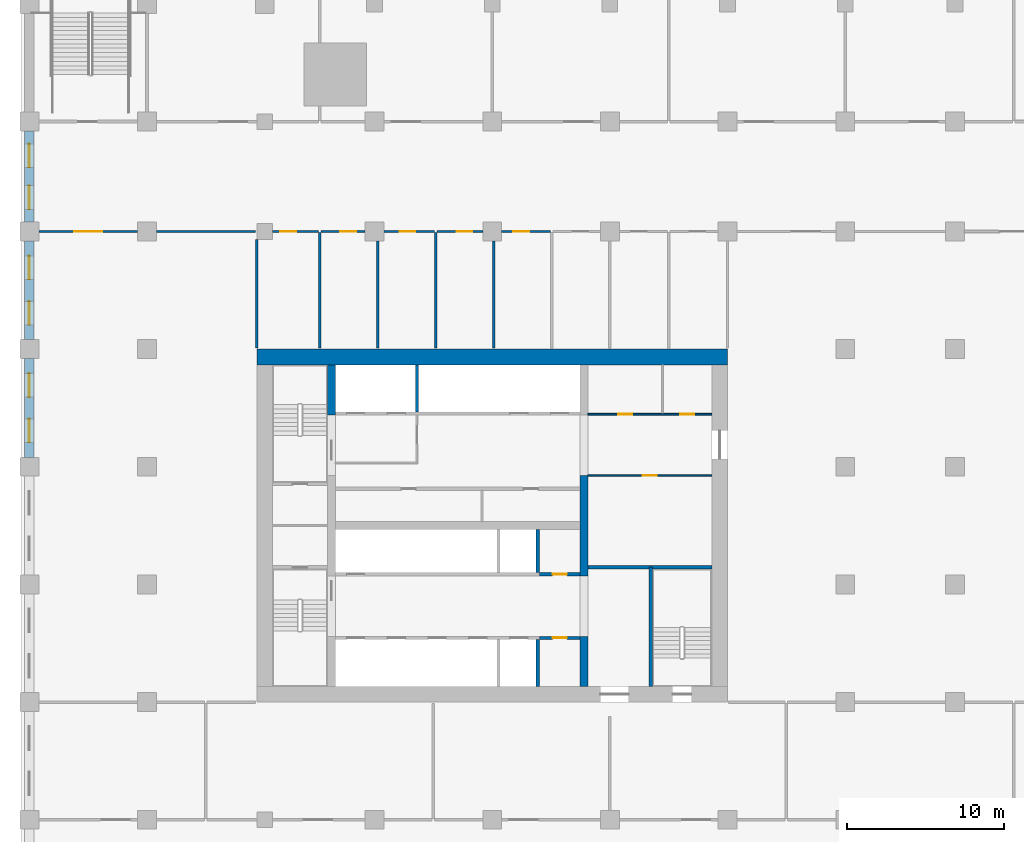
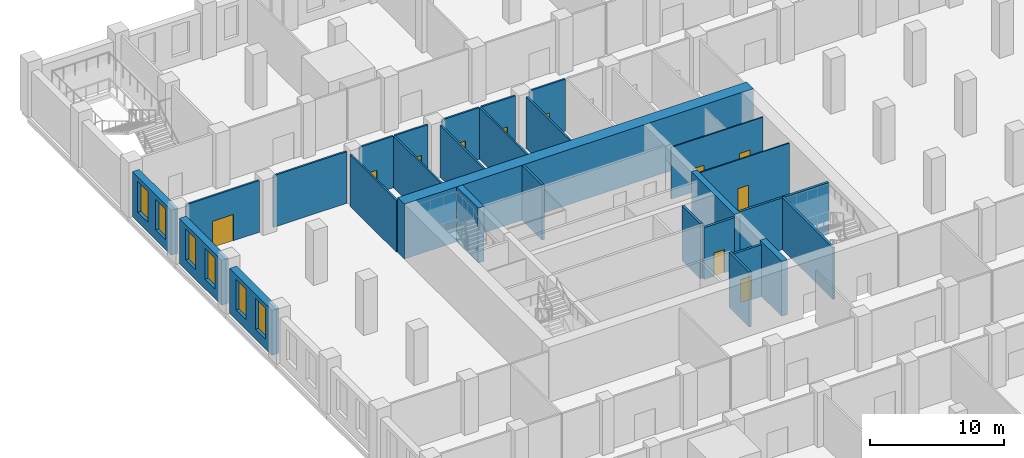
# One storey, part 6 of 32: 28 walls, 11 doors, 6 windows, 17 openings.
"""IFC4 building model written with IfcOpenShell, lengths in metres."""

from ifc_helpers import new_model, si_unit, direction, frame, frame_2d, origin, place, context, subcontext, project, spatial, rectangle, extrude, material, layer, layer_set, type_object, element, fill, save


model = new_model("IFC4")

# Units and contexts
model_context = context("Model", 3, precision=1e-05, world=origin(), true_north=direction((0.0, 1.0)))
body_context = subcontext(model_context, "Body", "Model", "MODEL_VIEW")
ifc_project = project(units=[si_unit("LENGTHUNIT", "METRE"), si_unit("AREAUNIT", "SQUARE_METRE"), si_unit("VOLUMEUNIT", "CUBIC_METRE"), si_unit("PLANEANGLEUNIT", "RADIAN"), si_unit("MASSUNIT", "GRAM", prefix="KILO")], contexts=[model_context])

# Site, building, storey
site_placement = place(None, origin())
site = spatial("IfcSite", under=ifc_project, at=site_placement, CompositionType="ELEMENT")
building_placement = place(site_placement, origin())
building = spatial("IfcBuilding", under=site, at=building_placement, Name="Tamorin Gate", CompositionType="ELEMENT")
storey_placement = place(building_placement, frame((0.0, 0.0, 18.5)))
storey = spatial("IfcBuildingStorey", under=building, at=storey_placement, Name="L03", CompositionType="ELEMENT", Elevation=18.5)

# Walls
ifc_material_1 = material(Name="Concrete C32/40", Category="concrete")
ifc_layer_1 = layer(ifc_material_1, 0.199951171875)
ifc_layer_set_1 = layer_set([ifc_layer_1], Name="Lift shaft wall 200 EI 120")
wall_type_1 = type_object("IfcWallType", Name="Lift shaft wall 200 EI 120", PredefinedType="SOLIDWALL", material=ifc_layer_set_1)
wall_1_placement = place(storey_placement, frame((47.89990234375, 61.0, 0.0), z_axis=(0.0, 0.0, 1.0), x_axis=(0.0, 1.0, 0.0)))
element("IfcWall", 1, at=wall_1_placement, inside=storey, type_object=wall_type_1, Name="Lift shaft wall", PredefinedType="SOLIDWALL", context=body_context, shape_type="SweptSolid", body=[
    extrude(rectangle(XDim=3.0, YDim=0.199951171875, at=frame_2d((1.5, 0.0))), origin(), (0.0, 0.0, 1.0), 5.0),
])
wall_2_placement = place(storey_placement, frame((47.89990234375, 68.25, 0.0), z_axis=(0.0, 0.0, 1.0), x_axis=(0.0, 1.0, 0.0)))
element("IfcWall", 2, at=wall_2_placement, inside=storey, type_object=wall_type_1, Name="Lift shaft wall", PredefinedType="SOLIDWALL", context=body_context, shape_type="SweptSolid", body=[
    extrude(rectangle(XDim=2.75, YDim=0.199951171875, at=frame_2d((1.375, 0.0))), origin(), (0.0, 0.0, 1.0), 5.0),
])
wall_3_placement = place(storey_placement, frame((40.199951171875, 78.5, 0.0), z_axis=(0.0, 0.0, 1.0), x_axis=(0.0, 1.0, 0.0)))
element("IfcWall", 3, at=wall_3_placement, inside=storey, type_object=wall_type_1, Name="Lift shaft wall", PredefinedType="SOLIDWALL", context=body_context, shape_type="SweptSolid", body=[
    extrude(rectangle(XDim=3.0, YDim=0.199951171875, at=frame_2d((1.5, 0.0))), origin(), (0.0, 0.0, 1.0), 5.0),
])

# Wall, opening, door
ifc_material_2 = material(Name="Concrete masonry C20/25", Category="masonry")
ifc_layer_2 = layer(ifc_material_2, 0.14990234375)
ifc_layer_set_2 = layer_set([ifc_layer_2], Name="Partition 150")
wall_type_2 = type_object("IfcWallType", Name="Partition 150", PredefinedType="PARTITIONING", material=ifc_layer_set_2)
wall_4_placement = place(storey_placement, frame((16.10009765625, 90.0, 0.0), z_axis=(0.0, 0.0, 1.0), x_axis=(1.0, 0.0, 0.0)))
wall_4 = element("IfcWall", 4, at=wall_4_placement, inside=storey, type_object=wall_type_2, Name="Partition 150 L03", PredefinedType="PARTITIONING", context=body_context, shape_type="SweptSolid", body=[
    extrude(rectangle(XDim=6.2998046875, YDim=0.14990234375, at=frame_2d((3.14990234375, 0.0))), origin(), (0.0, 0.0, 1.0), 4.699951171875),
])
opening_1_placement = place(wall_4_placement, frame((2.25, 0.0, 0.0)))
opening_1 = element("IfcOpeningElement", 5, at=opening_1_placement, cuts=wall_4, Name="Opening DP3", PredefinedType="OPENING", context=body_context, shape_type="SweptSolid", body=[
    extrude(rectangle(XDim=1.800048828125, YDim=2.39990234375, at=frame_2d((0.89990234375, 1.199951171875))), frame((0.0, 0.0849609375, 0.0), z_axis=(0.0, -1.0, 0.0), x_axis=(1.0, 0.0, 0.0)), (0.0, 0.0, 1.0), 0.169921875),
])
ifc_material_3 = material(Name="Steel and glass", Category="steel")
door_type_1 = type_object("IfcDoorType", Name="Door pair 1800", OperationType="DOUBLE_DOOR_SINGLE_SWING", PredefinedType="DOOR", material=ifc_material_3)
door_1_placement = place(opening_1_placement, origin())
door_1 = element("IfcDoor", 6, at=door_1_placement, inside=storey, type_object=door_type_1, Name="Door pair 1800 L03", OperationType="SINGLE_SWING_LEFT", OverallHeight=2.39990234375, OverallWidth=1.800048828125, PredefinedType="DOOR", context=body_context, shape_type="SweptSolid", body=[
    extrude(rectangle(XDim=1.800048828125, YDim=2.39990234375, at=frame_2d((0.89990234375, 1.199951171875))), frame((0.0, 0.02490234375, 0.0), z_axis=(0.0, -1.0, 0.0), x_axis=(1.0, 0.0, 0.0)), (0.0, 0.0, 1.0), 0.050048828125),
])
fill(opening_1, door_1)

# Wall
wall_5_placement = place(storey_placement, frame((23.60009765625, 90.0, 0.0), z_axis=(0.0, 0.0, 1.0), x_axis=(1.0, 0.0, 0.0)))
element("IfcWall", 7, at=wall_5_placement, inside=storey, type_object=wall_type_2, Name="Partition 150 L03", PredefinedType="PARTITIONING", context=body_context, shape_type="SweptSolid", body=[
    extrude(rectangle(XDim=6.324951171875, YDim=0.14990234375, at=frame_2d((3.16259765625, 0.0))), origin(), (0.0, 0.0, 1.0), 4.699951171875),
])

# Wall, opening, door
wall_6_placement = place(storey_placement, frame((31.0, 90.0, 0.0), z_axis=(0.0, 0.0, 1.0), x_axis=(1.0, 0.0, 0.0)))
wall_6 = element("IfcWall", 8, at=wall_6_placement, inside=storey, type_object=wall_type_2, Name="Partition 150 L03", PredefinedType="PARTITIONING", context=body_context, shape_type="SweptSolid", body=[
    extrude(rectangle(XDim=2.925048828125, YDim=0.14990234375, at=frame_2d((1.46240234375, 0.0))), origin(), (0.0, 0.0, 1.0), 4.699951171875),
])
opening_2_placement = place(wall_6_placement, frame((0.5, 0.0, 0.0)))
opening_2 = element("IfcOpeningElement", 9, at=opening_2_placement, cuts=wall_6, Name="Opening DP2", PredefinedType="OPENING", context=body_context, shape_type="SweptSolid", body=[
    extrude(rectangle(XDim=1.0, YDim=2.10009765625, at=frame_2d((0.5, 1.050048828125))), frame((0.0, 0.0849609375, 0.0), z_axis=(0.0, -1.0, 0.0), x_axis=(1.0, 0.0, 0.0)), (0.0, 0.0, 1.0), 0.169921875),
])
ifc_material_4 = material(Name="Painted steel", Category="steel")
door_type_2 = type_object("IfcDoorType", Name="Door single 1000", OperationType="SINGLE_SWING_LEFT", PredefinedType="DOOR", material=ifc_material_4)
door_2_placement = place(opening_2_placement, origin())
door_2 = element("IfcDoor", 10, at=door_2_placement, inside=storey, type_object=door_type_2, Name="Door single 1000 L03", OperationType="SINGLE_SWING_LEFT", OverallHeight=2.10009765625, OverallWidth=1.0, PredefinedType="DOOR", context=body_context, shape_type="SweptSolid", body=[
    extrude(rectangle(XDim=1.0, YDim=2.10009765625, at=frame_2d((0.5, 1.050048828125))), frame((0.0, 0.02490234375, 0.0), z_axis=(0.0, -1.0, 0.0), x_axis=(1.0, 0.0, 0.0)), (0.0, 0.0, 1.0), 0.050048828125),
])
fill(opening_2, door_2)

wall_7_placement = place(storey_placement, frame((34.074951171875, 90.0, 0.0), z_axis=(0.0, 0.0, 1.0), x_axis=(1.0, 0.0, 0.0)))
wall_7 = element("IfcWall", 11, at=wall_7_placement, inside=storey, type_object=wall_type_2, Name="Partition 150 L03", PredefinedType="PARTITIONING", context=body_context, shape_type="SweptSolid", body=[
    extrude(rectangle(XDim=2.824951171875, YDim=0.14990234375, at=frame_2d((1.41259765625, 0.0))), origin(), (0.0, 0.0, 1.0), 4.699951171875),
])
opening_3_placement = place(wall_7_placement, frame((1.25, 0.0, 0.0)))
opening_3 = element("IfcOpeningElement", 12, at=opening_3_placement, cuts=wall_7, Name="Opening DP2", PredefinedType="OPENING", context=body_context, shape_type="SweptSolid", body=[
    extrude(rectangle(XDim=1.0, YDim=2.10009765625, at=frame_2d((0.5, 1.050048828125))), frame((0.0, 0.0849609375, 0.0), z_axis=(0.0, -1.0, 0.0), x_axis=(1.0, 0.0, 0.0)), (0.0, 0.0, 1.0), 0.169921875),
])
door_3_placement = place(opening_3_placement, origin())
door_3 = element("IfcDoor", 13, at=door_3_placement, inside=storey, type_object=door_type_2, Name="Door single 1000 L03", OperationType="SINGLE_SWING_LEFT", OverallHeight=2.10009765625, OverallWidth=1.0, PredefinedType="DOOR", context=body_context, shape_type="SweptSolid", body=[
    extrude(rectangle(XDim=1.0, YDim=2.10009765625, at=frame_2d((0.5, 1.050048828125))), frame((0.0, 0.02490234375, 0.0), z_axis=(0.0, -1.0, 0.0), x_axis=(1.0, 0.0, 0.0)), (0.0, 0.0, 1.0), 0.050048828125),
])
fill(opening_3, door_3)

wall_8_placement = place(storey_placement, frame((38.10009765625, 90.0, 0.0), z_axis=(0.0, 0.0, 1.0), x_axis=(1.0, 0.0, 0.0)))
wall_8 = element("IfcWall", 14, at=wall_8_placement, inside=storey, type_object=wall_type_2, Name="Partition 150 L03", PredefinedType="PARTITIONING", context=body_context, shape_type="SweptSolid", body=[
    extrude(rectangle(XDim=3.224853515625, YDim=0.14990234375, at=frame_2d((1.6123046875, 0.0))), origin(), (0.0, 0.0, 1.0), 4.699951171875),
])
opening_4_placement = place(wall_8_placement, frame((1.0, 0.0, 0.0)))
opening_4 = element("IfcOpeningElement", 15, at=opening_4_placement, cuts=wall_8, Name="Opening DP2", PredefinedType="OPENING", context=body_context, shape_type="SweptSolid", body=[
    extrude(rectangle(XDim=1.0, YDim=2.10009765625, at=frame_2d((0.5, 1.050048828125))), frame((0.0, 0.0849609375, 0.0), z_axis=(0.0, -1.0, 0.0), x_axis=(1.0, 0.0, 0.0)), (0.0, 0.0, 1.0), 0.169921875),
])
door_4_placement = place(opening_4_placement, origin())
door_4 = element("IfcDoor", 16, at=door_4_placement, inside=storey, type_object=door_type_2, Name="Door single 1000 L03", OperationType="SINGLE_SWING_LEFT", OverallHeight=2.10009765625, OverallWidth=1.0, PredefinedType="DOOR", context=body_context, shape_type="SweptSolid", body=[
    extrude(rectangle(XDim=1.0, YDim=2.10009765625, at=frame_2d((0.5, 1.050048828125))), frame((0.0, 0.02490234375, 0.0), z_axis=(0.0, -1.0, 0.0), x_axis=(1.0, 0.0, 0.0)), (0.0, 0.0, 1.0), 0.050048828125),
])
fill(opening_4, door_4)

wall_9_placement = place(storey_placement, frame((41.47509765625, 90.0, 0.0), z_axis=(0.0, 0.0, 1.0), x_axis=(1.0, 0.0, 0.0)))
wall_9 = element("IfcWall", 17, at=wall_9_placement, inside=storey, type_object=wall_type_2, Name="Partition 150 L03", PredefinedType="PARTITIONING", context=body_context, shape_type="SweptSolid", body=[
    extrude(rectangle(XDim=2.9248046875, YDim=0.14990234375, at=frame_2d((1.46240234375, 0.0))), origin(), (0.0, 0.0, 1.0), 4.699951171875),
])
opening_5_placement = place(wall_9_placement, frame((1.25, 0.0, 0.0)))
opening_5 = element("IfcOpeningElement", 18, at=opening_5_placement, cuts=wall_9, Name="Opening DP2", PredefinedType="OPENING", context=body_context, shape_type="SweptSolid", body=[
    extrude(rectangle(XDim=1.0, YDim=2.10009765625, at=frame_2d((0.5, 1.050048828125))), frame((0.0, 0.0849609375, 0.0), z_axis=(0.0, -1.0, 0.0), x_axis=(1.0, 0.0, 0.0)), (0.0, 0.0, 1.0), 0.169921875),
])
door_5_placement = place(opening_5_placement, origin())
door_5 = element("IfcDoor", 19, at=door_5_placement, inside=storey, type_object=door_type_2, Name="Door single 1000 L03", OperationType="SINGLE_SWING_LEFT", OverallHeight=2.10009765625, OverallWidth=1.0, PredefinedType="DOOR", context=body_context, shape_type="SweptSolid", body=[
    extrude(rectangle(XDim=1.0, YDim=2.10009765625, at=frame_2d((0.5, 1.050048828125))), frame((0.0, 0.02490234375, 0.0), z_axis=(0.0, -1.0, 0.0), x_axis=(1.0, 0.0, 0.0)), (0.0, 0.0, 1.0), 0.050048828125),
])
fill(opening_5, door_5)

wall_10_placement = place(storey_placement, frame((45.60009765625, 90.0, 0.0), z_axis=(0.0, 0.0, 1.0), x_axis=(1.0, 0.0, 0.0)))
wall_10 = element("IfcWall", 20, at=wall_10_placement, inside=storey, type_object=wall_type_2, Name="Partition 150 L03", PredefinedType="PARTITIONING", context=body_context, shape_type="SweptSolid", body=[
    extrude(rectangle(XDim=3.125, YDim=0.14990234375, at=frame_2d((1.5625, 0.0))), origin(), (0.0, 0.0, 1.0), 4.699951171875),
])
opening_6_placement = place(wall_10_placement, frame((0.75, 0.0, 0.0)))
opening_6 = element("IfcOpeningElement", 21, at=opening_6_placement, cuts=wall_10, Name="Opening DP2", PredefinedType="OPENING", context=body_context, shape_type="SweptSolid", body=[
    extrude(rectangle(XDim=1.0, YDim=2.10009765625, at=frame_2d((0.5, 1.050048828125))), frame((0.0, 0.0849609375, 0.0), z_axis=(0.0, -1.0, 0.0), x_axis=(1.0, 0.0, 0.0)), (0.0, 0.0, 1.0), 0.169921875),
])
door_6_placement = place(opening_6_placement, origin())
door_6 = element("IfcDoor", 22, at=door_6_placement, inside=storey, type_object=door_type_2, Name="Door single 1000 L03", OperationType="SINGLE_SWING_LEFT", OverallHeight=2.10009765625, OverallWidth=1.0, PredefinedType="DOOR", context=body_context, shape_type="SweptSolid", body=[
    extrude(rectangle(XDim=1.0, YDim=2.10009765625, at=frame_2d((0.5, 1.050048828125))), frame((0.0, 0.02490234375, 0.0), z_axis=(0.0, -1.0, 0.0), x_axis=(1.0, 0.0, 0.0)), (0.0, 0.0, 1.0), 0.050048828125),
])
fill(opening_6, door_6)

# Walls
wall_11_placement = place(storey_placement, frame((34.0, 82.574951171875, 0.0), z_axis=(0.0, 0.0, 1.0), x_axis=(0.0, 1.0, 0.0)))
element("IfcWall", 23, at=wall_11_placement, inside=storey, type_object=wall_type_2, Name="Partition 150 L03", PredefinedType="PARTITIONING", context=body_context, shape_type="SweptSolid", body=[
    extrude(rectangle(XDim=7.35009765625, YDim=0.14990234375, at=frame_2d((3.675048828125, 0.0))), origin(), (0.0, 0.0, 1.0), 4.699951171875),
])
wall_12_placement = place(storey_placement, frame((30.0, 82.574951171875, 0.0), z_axis=(0.0, 0.0, 1.0), x_axis=(0.0, 1.0, 0.0)))
element("IfcWall", 24, at=wall_12_placement, inside=storey, type_object=wall_type_2, Name="Partition 150 L03", PredefinedType="PARTITIONING", context=body_context, shape_type="SweptSolid", body=[
    extrude(rectangle(XDim=6.925048828125, YDim=0.14990234375, at=frame_2d((3.46240234375, 0.0))), origin(), (0.0, 0.0, 1.0), 4.699951171875),
])
wall_13_placement = place(storey_placement, frame((37.699951171875, 82.574951171875, 0.0), z_axis=(0.0, 0.0, 1.0), x_axis=(0.0, 1.0, 0.0)))
element("IfcWall", 25, at=wall_13_placement, inside=storey, type_object=wall_type_2, Name="Partition 150 L03", PredefinedType="PARTITIONING", context=body_context, shape_type="SweptSolid", body=[
    extrude(rectangle(XDim=6.824951171875, YDim=0.14990234375, at=frame_2d((3.41259765625, 0.0))), origin(), (0.0, 0.0, 1.0), 4.699951171875),
])
wall_14_placement = place(storey_placement, frame((41.39990234375, 82.574951171875, 0.0), z_axis=(0.0, 0.0, 1.0), x_axis=(0.0, 1.0, 0.0)))
element("IfcWall", 26, at=wall_14_placement, inside=storey, type_object=wall_type_2, Name="Partition 150 L03", PredefinedType="PARTITIONING", context=body_context, shape_type="SweptSolid", body=[
    extrude(rectangle(XDim=7.35009765625, YDim=0.14990234375, at=frame_2d((3.675048828125, 0.0))), origin(), (0.0, 0.0, 1.0), 4.699951171875),
])
wall_15_placement = place(storey_placement, frame((45.10009765625, 82.574951171875, 0.0), z_axis=(0.0, 0.0, 1.0), x_axis=(0.0, 1.0, 0.0)))
element("IfcWall", 27, at=wall_15_placement, inside=storey, type_object=wall_type_2, Name="Partition 150 L03", PredefinedType="PARTITIONING", context=body_context, shape_type="SweptSolid", body=[
    extrude(rectangle(XDim=6.824951171875, YDim=0.14990234375, at=frame_2d((3.41259765625, 0.0))), origin(), (0.0, 0.0, 1.0), 4.699951171875),
])

# Wall, openings, windows
ifc_material_5 = material(Name="Precast concrete C40/50", Category="concrete")
ifc_layer_3 = layer(ifc_material_5, 0.60009765625)
ifc_layer_set_3 = layer_set([ifc_layer_3], Name="Precast concrete C40/50")
wall_type_3 = type_object("IfcWallType", Name="Precast plinth wall 600", PredefinedType="PARTITIONING", material=ifc_layer_set_3)
wall_16_placement = place(storey_placement, frame((15.5, 75.60009765625, 0.0), z_axis=(0.0, 0.0, 1.0), x_axis=(0.0, 1.0, 0.0)))
wall_16 = element("IfcWall", 28, at=wall_16_placement, inside=storey, type_object=wall_type_3, Name="Precast plinth wall 600 L03", PredefinedType="PARTITIONING", context=body_context, shape_type="SweptSolid", body=[
    extrude(rectangle(XDim=6.2998046875, YDim=0.60009765625, at=frame_2d((3.14990234375, 0.0))), origin(), (0.0, 0.0, 1.0), 4.10009765625),
])
opening_7_placement = place(wall_16_placement, frame((0.950927734375, 0.0, 0.89990234375)))
opening_7 = element("IfcOpeningElement", 29, at=opening_7_placement, cuts=wall_16, Name="Opening PWN5", PredefinedType="OPENING", context=body_context, shape_type="SweptSolid", body=[
    extrude(rectangle(XDim=1.5, YDim=2.800048828125, at=frame_2d((0.75, 1.39990234375))), frame((0.0, 0.31005859375, 0.0), z_axis=(0.0, -1.0, 0.0), x_axis=(1.0, 0.0, 0.0)), (0.0, 0.0, 1.0), 0.6201171875),
])
opening_8_placement = place(wall_16_placement, frame((3.84912109375, 0.0, 0.89990234375)))
opening_8 = element("IfcOpeningElement", 30, at=opening_8_placement, cuts=wall_16, Name="Opening PWN5", PredefinedType="OPENING", context=body_context, shape_type="SweptSolid", body=[
    extrude(rectangle(XDim=1.5, YDim=2.800048828125, at=frame_2d((0.75, 1.39990234375))), frame((0.0, 0.31005859375, 0.0), z_axis=(0.0, -1.0, 0.0), x_axis=(1.0, 0.0, 0.0)), (0.0, 0.0, 1.0), 0.6201171875),
])
ifc_material_6 = material(Name="Aluminium and glass", Category="aluminium")
window_type = type_object("IfcWindowType", Name="Plinth window 1500x2800", PartitioningType="DOUBLE_PANEL_VERTICAL", PredefinedType="WINDOW", material=ifc_material_6)
window_1_placement = place(opening_7_placement, origin())
window_1 = element("IfcWindow", 31, at=window_1_placement, inside=storey, type_object=window_type, Name="Plinth window 1500x2800", OverallHeight=2.800048828125, OverallWidth=1.5, PartitioningType="SINGLE_PANEL", PredefinedType="WINDOW", context=body_context, shape_type="SweptSolid", body=[
    extrude(rectangle(XDim=1.5, YDim=2.800048828125, at=frame_2d((0.75, 1.39990234375))), frame((0.0, 0.030029296875, 0.0), z_axis=(0.0, -1.0, 0.0), x_axis=(1.0, 0.0, 0.0)), (0.0, 0.0, 1.0), 0.06005859375),
])
fill(opening_7, window_1)
window_2_placement = place(opening_8_placement, origin())
window_2 = element("IfcWindow", 32, at=window_2_placement, inside=storey, type_object=window_type, Name="Plinth window 1500x2800", OverallHeight=2.800048828125, OverallWidth=1.5, PartitioningType="SINGLE_PANEL", PredefinedType="WINDOW", context=body_context, shape_type="SweptSolid", body=[
    extrude(rectangle(XDim=1.5, YDim=2.800048828125, at=frame_2d((0.75, 1.39990234375))), frame((0.0, 0.030029296875, 0.0), z_axis=(0.0, -1.0, 0.0), x_axis=(1.0, 0.0, 0.0)), (0.0, 0.0, 1.0), 0.06005859375),
])
fill(opening_8, window_2)

wall_17_placement = place(storey_placement, frame((15.5, 83.10009765625, 0.0), z_axis=(0.0, 0.0, 1.0), x_axis=(0.0, 1.0, 0.0)))
wall_17 = element("IfcWall", 33, at=wall_17_placement, inside=storey, type_object=wall_type_3, Name="Precast plinth wall 600 L03", PredefinedType="PARTITIONING", context=body_context, shape_type="SweptSolid", body=[
    extrude(rectangle(XDim=6.2998046875, YDim=0.60009765625, at=frame_2d((3.14990234375, 0.0))), origin(), (0.0, 0.0, 1.0), 4.10009765625),
])
opening_9_placement = place(wall_17_placement, frame((0.950927734375, 0.0, 0.89990234375)))
opening_9 = element("IfcOpeningElement", 34, at=opening_9_placement, cuts=wall_17, Name="Opening PWN5", PredefinedType="OPENING", context=body_context, shape_type="SweptSolid", body=[
    extrude(rectangle(XDim=1.5, YDim=2.800048828125, at=frame_2d((0.75, 1.39990234375))), frame((0.0, 0.31005859375, 0.0), z_axis=(0.0, -1.0, 0.0), x_axis=(1.0, 0.0, 0.0)), (0.0, 0.0, 1.0), 0.6201171875),
])
opening_10_placement = place(wall_17_placement, frame((3.84912109375, 0.0, 0.89990234375)))
opening_10 = element("IfcOpeningElement", 35, at=opening_10_placement, cuts=wall_17, Name="Opening PWN5", PredefinedType="OPENING", context=body_context, shape_type="SweptSolid", body=[
    extrude(rectangle(XDim=1.5, YDim=2.800048828125, at=frame_2d((0.75, 1.39990234375))), frame((0.0, 0.31005859375, 0.0), z_axis=(0.0, -1.0, 0.0), x_axis=(1.0, 0.0, 0.0)), (0.0, 0.0, 1.0), 0.6201171875),
])
window_3_placement = place(opening_9_placement, origin())
window_3 = element("IfcWindow", 36, at=window_3_placement, inside=storey, type_object=window_type, Name="Plinth window 1500x2800", OverallHeight=2.800048828125, OverallWidth=1.5, PartitioningType="SINGLE_PANEL", PredefinedType="WINDOW", context=body_context, shape_type="SweptSolid", body=[
    extrude(rectangle(XDim=1.5, YDim=2.800048828125, at=frame_2d((0.75, 1.39990234375))), frame((0.0, 0.030029296875, 0.0), z_axis=(0.0, -1.0, 0.0), x_axis=(1.0, 0.0, 0.0)), (0.0, 0.0, 1.0), 0.06005859375),
])
fill(opening_9, window_3)
window_4_placement = place(opening_10_placement, origin())
window_4 = element("IfcWindow", 37, at=window_4_placement, inside=storey, type_object=window_type, Name="Plinth window 1500x2800", OverallHeight=2.800048828125, OverallWidth=1.5, PartitioningType="SINGLE_PANEL", PredefinedType="WINDOW", context=body_context, shape_type="SweptSolid", body=[
    extrude(rectangle(XDim=1.5, YDim=2.800048828125, at=frame_2d((0.75, 1.39990234375))), frame((0.0, 0.030029296875, 0.0), z_axis=(0.0, -1.0, 0.0), x_axis=(1.0, 0.0, 0.0)), (0.0, 0.0, 1.0), 0.06005859375),
])
fill(opening_10, window_4)

wall_18_placement = place(storey_placement, frame((15.5, 90.60009765625, 0.0), z_axis=(0.0, 0.0, 1.0), x_axis=(0.0, 1.0, 0.0)))
wall_18 = element("IfcWall", 38, at=wall_18_placement, inside=storey, type_object=wall_type_3, Name="Precast plinth wall 600 L03", PredefinedType="PARTITIONING", context=body_context, shape_type="SweptSolid", body=[
    extrude(rectangle(XDim=5.7998046875, YDim=0.60009765625, at=frame_2d((2.89990234375, 0.0))), origin(), (0.0, 0.0, 1.0), 4.10009765625),
])
opening_11_placement = place(wall_18_placement, frame((0.81591796875, 0.0, 0.89990234375)))
opening_11 = element("IfcOpeningElement", 39, at=opening_11_placement, cuts=wall_18, Name="Opening PWN5", PredefinedType="OPENING", context=body_context, shape_type="SweptSolid", body=[
    extrude(rectangle(XDim=1.5, YDim=2.800048828125, at=frame_2d((0.75, 1.39990234375))), frame((0.0, 0.31005859375, 0.0), z_axis=(0.0, -1.0, 0.0), x_axis=(1.0, 0.0, 0.0)), (0.0, 0.0, 1.0), 0.6201171875),
])
opening_12_placement = place(wall_18_placement, frame((3.48388671875, 0.0, 0.89990234375)))
opening_12 = element("IfcOpeningElement", 40, at=opening_12_placement, cuts=wall_18, Name="Opening PWN5", PredefinedType="OPENING", context=body_context, shape_type="SweptSolid", body=[
    extrude(rectangle(XDim=1.5, YDim=2.800048828125, at=frame_2d((0.75, 1.39990234375))), frame((0.0, 0.31005859375, 0.0), z_axis=(0.0, -1.0, 0.0), x_axis=(1.0, 0.0, 0.0)), (0.0, 0.0, 1.0), 0.6201171875),
])
window_5_placement = place(opening_11_placement, origin())
window_5 = element("IfcWindow", 41, at=window_5_placement, inside=storey, type_object=window_type, Name="Plinth window 1500x2800", OverallHeight=2.800048828125, OverallWidth=1.5, PartitioningType="SINGLE_PANEL", PredefinedType="WINDOW", context=body_context, shape_type="SweptSolid", body=[
    extrude(rectangle(XDim=1.5, YDim=2.800048828125, at=frame_2d((0.75, 1.39990234375))), frame((0.0, 0.030029296875, 0.0), z_axis=(0.0, -1.0, 0.0), x_axis=(1.0, 0.0, 0.0)), (0.0, 0.0, 1.0), 0.06005859375),
])
fill(opening_11, window_5)
window_6_placement = place(opening_12_placement, origin())
window_6 = element("IfcWindow", 42, at=window_6_placement, inside=storey, type_object=window_type, Name="Plinth window 1500x2800", OverallHeight=2.800048828125, OverallWidth=1.5, PartitioningType="SINGLE_PANEL", PredefinedType="WINDOW", context=body_context, shape_type="SweptSolid", body=[
    extrude(rectangle(XDim=1.5, YDim=2.800048828125, at=frame_2d((0.75, 1.39990234375))), frame((0.0, 0.030029296875, 0.0), z_axis=(0.0, -1.0, 0.0), x_axis=(1.0, 0.0, 0.0)), (0.0, 0.0, 1.0), 0.06005859375),
])
fill(opening_12, window_6)

# Walls
ifc_material_7 = material(Name="Concrete C80/95", Category="concrete")
ifc_layer_4 = layer(ifc_material_7, 0.5)
ifc_layer_set_4 = layer_set([ifc_layer_4], Name="RC core internal wall 500 C80/95")
wall_type_4 = type_object("IfcWallType", Name="RC core internal wall 500 C80/95", PredefinedType="SHEAR", material=ifc_layer_set_4)
for number, where, z_axis, x_axis, name in (
    (43, (34.75, 78.300048828125, 0.0), (0.0, 0.0, 1.0), (0.0, 1.0, 0.0), "Core cross wall L03"),
    (44, (50.85009765625, 61.0, 0.0), (0.0, 0.0, 1.0), (0.0, 1.0, 0.0), "Core cross wall L03"),
):
    element("IfcWall", number, at=place(storey_placement, frame(where, z_axis=z_axis, x_axis=x_axis)), inside=storey, type_object=wall_type_4, Name=name, PredefinedType="SHEAR", context=body_context, shape_type="SweptSolid", body=[
        extrude(rectangle(XDim=3.199951171875, YDim=0.5, at=frame_2d((1.60009765625, 0.0))), origin(), (0.0, 0.0, 1.0), 5.0),
    ])
wall_19_placement = place(storey_placement, frame((50.85009765625, 68.050048828125, 0.0), z_axis=(0.0, 0.0, 1.0), x_axis=(0.0, 1.0, 0.0)))
element("IfcWall", 45, at=wall_19_placement, inside=storey, type_object=wall_type_4, Name="Core cross wall L03", PredefinedType="SHEAR", context=body_context, shape_type="SweptSolid", body=[
    extrude(rectangle(XDim=6.39990234375, YDim=0.5, at=frame_2d((3.199951171875, 0.0))), origin(), (0.0, 0.0, 1.0), 5.0),
])
ifc_layer_5 = layer(ifc_material_7, 1.0)
ifc_layer_set_5 = layer_set([ifc_layer_5], Name="RC core wall 1000 C80/95")
wall_type_5 = type_object("IfcWallType", Name="RC core wall 1000 C80/95", PredefinedType="SHEAR", material=ifc_layer_set_5)
wall_20_placement = place(storey_placement, frame((30.0, 82.0, 0.0), z_axis=(0.0, 0.0, 1.0), x_axis=(1.0, 0.0, 0.0)))
element("IfcWall", 46, at=wall_20_placement, inside=storey, type_object=wall_type_5, Name="Core wall L03", PredefinedType="SHEAR", context=body_context, shape_type="SweptSolid", body=[
    extrude(rectangle(XDim=30.0, YDim=1.0, at=frame_2d((15.0, 0.0))), origin(), (0.0, 0.0, 1.0), 5.0),
])

# Wall, opening, door
ifc_material_8 = material(Name="Gypsum board partition")
ifc_layer_6 = layer(ifc_material_8, 0.199951171875)
ifc_layer_set_6 = layer_set([ifc_layer_6], Name="Service room face wall 200 EI 60")
wall_type_6 = type_object("IfcWallType", Name="Service room face wall 200 EI 60", PredefinedType="PARTITIONING", material=ifc_layer_set_6)
wall_21_placement = place(storey_placement, frame((48.0, 64.10009765625, 0.0), z_axis=(0.0, 0.0, 1.0), x_axis=(1.0, 0.0, 0.0)))
wall_21 = element("IfcWall", 47, at=wall_21_placement, inside=storey, type_object=wall_type_6, Name="Service room face wall", PredefinedType="PARTITIONING", context=body_context, shape_type="SweptSolid", body=[
    extrude(rectangle(XDim=2.60009765625, YDim=0.199951171875, at=frame_2d((1.300048828125, 0.0))), origin(), (0.0, 0.0, 1.0), 4.699951171875),
])
opening_13_placement = place(wall_21_placement, frame((0.85009765625, 0.0, 0.0)))
opening_13 = element("IfcOpeningElement", 48, at=opening_13_placement, cuts=wall_21, Name="Opening DK1", PredefinedType="OPENING", context=body_context, shape_type="SweptSolid", body=[
    extrude(rectangle(XDim=0.89990234375, YDim=2.10009765625, at=frame_2d((0.449951171875, 1.050048828125))), frame((0.0, 0.10986328125, 0.0), z_axis=(0.0, -1.0, 0.0), x_axis=(1.0, 0.0, 0.0)), (0.0, 0.0, 1.0), 0.219970703125),
])
ifc_material_9 = material(Name="Timber fire door", Category="wood")
door_type_3 = type_object("IfcDoorType", Name="Service room door 900 x 2100 EI 60", OperationType="SINGLE_SWING_LEFT", PredefinedType="DOOR", material=ifc_material_9)
door_7_placement = place(opening_13_placement, origin())
door_7 = element("IfcDoor", 49, at=door_7_placement, inside=storey, type_object=door_type_3, Name="Door Telecom room", OperationType="SINGLE_SWING_LEFT", OverallHeight=2.10009765625, OverallWidth=0.89990234375, PredefinedType="DOOR", context=body_context, shape_type="SweptSolid", body=[
    extrude(rectangle(XDim=0.89990234375, YDim=2.10009765625, at=frame_2d((0.449951171875, 1.050048828125))), frame((0.0, 0.02490234375, 0.0), z_axis=(0.0, -1.0, 0.0), x_axis=(1.0, 0.0, 0.0)), (0.0, 0.0, 1.0), 0.050048828125),
])
fill(opening_13, door_7)

wall_22_placement = place(storey_placement, frame((48.0, 68.14990234375, 0.0), z_axis=(0.0, 0.0, 1.0), x_axis=(1.0, 0.0, 0.0)))
wall_22 = element("IfcWall", 50, at=wall_22_placement, inside=storey, type_object=wall_type_6, Name="Service room face wall", PredefinedType="PARTITIONING", context=body_context, shape_type="SweptSolid", body=[
    extrude(rectangle(XDim=2.60009765625, YDim=0.199951171875, at=frame_2d((1.300048828125, 0.0))), origin(), (0.0, 0.0, 1.0), 4.699951171875),
])
opening_14_placement = place(wall_22_placement, frame((0.85009765625, 0.0, 0.0)))
opening_14 = element("IfcOpeningElement", 51, at=opening_14_placement, cuts=wall_22, Name="Opening DK1", PredefinedType="OPENING", context=body_context, shape_type="SweptSolid", body=[
    extrude(rectangle(XDim=0.89990234375, YDim=2.10009765625, at=frame_2d((0.449951171875, 1.050048828125))), frame((0.0, 0.10986328125, 0.0), z_axis=(0.0, -1.0, 0.0), x_axis=(1.0, 0.0, 0.0)), (0.0, 0.0, 1.0), 0.219970703125),
])
door_8_placement = place(opening_14_placement, origin())
door_8 = element("IfcDoor", 52, at=door_8_placement, inside=storey, type_object=door_type_3, Name="Door Cleaner's store", OperationType="SINGLE_SWING_LEFT", OverallHeight=2.10009765625, OverallWidth=0.89990234375, PredefinedType="DOOR", context=body_context, shape_type="SweptSolid", body=[
    extrude(rectangle(XDim=0.89990234375, YDim=2.10009765625, at=frame_2d((0.449951171875, 1.050048828125))), frame((0.0, 0.02490234375, 0.0), z_axis=(0.0, -1.0, 0.0), x_axis=(1.0, 0.0, 0.0)), (0.0, 0.0, 1.0), 0.050048828125),
])
fill(opening_14, door_8)

ifc_layer_7 = layer(ifc_material_8, 0.10009765625)
ifc_layer_set_7 = layer_set([ifc_layer_7], Name="Service room partition 100 EI 60")
wall_type_7 = type_object("IfcWallType", Name="Service room partition 100 EI 60", PredefinedType="PARTITIONING", material=ifc_layer_set_7)
wall_23_placement = place(storey_placement, frame((51.10009765625, 74.449951171875, 0.0), z_axis=(0.0, 0.0, 1.0), x_axis=(1.0, 0.0, 0.0)))
wall_23 = element("IfcWall", 53, at=wall_23_placement, inside=storey, type_object=wall_type_7, Name="Service room wall", PredefinedType="PARTITIONING", context=body_context, shape_type="SweptSolid", body=[
    extrude(rectangle(XDim=7.89990234375, YDim=0.10009765625, at=frame_2d((3.949951171875, 0.0))), origin(), (0.0, 0.0, 1.0), 4.699951171875),
])
opening_15_placement = place(wall_23_placement, frame((3.5, 0.0, 0.0)))
opening_15 = element("IfcOpeningElement", 54, at=opening_15_placement, cuts=wall_23, Name="Opening DR1", PredefinedType="OPENING", context=body_context, shape_type="SweptSolid", body=[
    extrude(rectangle(XDim=0.89990234375, YDim=2.10009765625, at=frame_2d((0.449951171875, 1.050048828125))), frame((0.0, 0.06005859375, 0.0), z_axis=(0.0, -1.0, 0.0), x_axis=(1.0, 0.0, 0.0)), (0.0, 0.0, 1.0), 0.1201171875),
])
ifc_material_10 = material(Name="Steel fire door", Category="steel")
door_type_4 = type_object("IfcDoorType", Name="Riser access door 900 x 2100 EI 120", OperationType="SINGLE_SWING_LEFT", PredefinedType="DOOR", material=ifc_material_10)
door_9_placement = place(opening_15_placement, origin())
door_9 = element("IfcDoor", 55, at=door_9_placement, inside=storey, type_object=door_type_4, Name="Duct riser door", OperationType="SINGLE_SWING_LEFT", OverallHeight=2.10009765625, OverallWidth=0.89990234375, PredefinedType="DOOR", context=body_context, shape_type="SweptSolid", body=[
    extrude(rectangle(XDim=0.89990234375, YDim=2.10009765625, at=frame_2d((0.449951171875, 1.050048828125))), frame((0.0, 0.02490234375, 0.0), z_axis=(0.0, -1.0, 0.0), x_axis=(1.0, 0.0, 0.0)), (0.0, 0.0, 1.0), 0.050048828125),
])
fill(opening_15, door_9)

# Wall, openings, doors
wall_24_placement = place(storey_placement, frame((51.10009765625, 78.35009765625, 0.0), z_axis=(0.0, 0.0, 1.0), x_axis=(1.0, 0.0, 0.0)))
wall_24 = element("IfcWall", 56, at=wall_24_placement, inside=storey, type_object=wall_type_7, Name="Service room wall", PredefinedType="PARTITIONING", context=body_context, shape_type="SweptSolid", body=[
    extrude(rectangle(XDim=7.89990234375, YDim=0.10009765625, at=frame_2d((3.949951171875, 0.0))), origin(), (0.0, 0.0, 1.0), 4.699951171875),
])
opening_16_placement = place(wall_24_placement, frame((1.925048828125, 0.0, 0.0)))
opening_16 = element("IfcOpeningElement", 57, at=opening_16_placement, cuts=wall_24, Name="Opening DK1", PredefinedType="OPENING", context=body_context, shape_type="SweptSolid", body=[
    extrude(rectangle(XDim=0.89990234375, YDim=2.10009765625, at=frame_2d((0.449951171875, 1.050048828125))), frame((0.0, 0.06005859375, 0.0), z_axis=(0.0, -1.0, 0.0), x_axis=(1.0, 0.0, 0.0)), (0.0, 0.0, 1.0), 0.1201171875),
])
opening_17_placement = place(wall_24_placement, frame((5.875, 0.0, 0.0)))
opening_17 = element("IfcOpeningElement", 58, at=opening_17_placement, cuts=wall_24, Name="Opening DK1", PredefinedType="OPENING", context=body_context, shape_type="SweptSolid", body=[
    extrude(rectangle(XDim=0.89990234375, YDim=2.10009765625, at=frame_2d((0.449951171875, 1.050048828125))), frame((0.0, 0.06005859375, 0.0), z_axis=(0.0, -1.0, 0.0), x_axis=(1.0, 0.0, 0.0)), (0.0, 0.0, 1.0), 0.1201171875),
])
door_10_placement = place(opening_16_placement, origin())
door_10 = element("IfcDoor", 59, at=door_10_placement, inside=storey, type_object=door_type_3, Name="Door Electrical room", OperationType="SINGLE_SWING_LEFT", OverallHeight=2.10009765625, OverallWidth=0.89990234375, PredefinedType="DOOR", context=body_context, shape_type="SweptSolid", body=[
    extrude(rectangle(XDim=0.89990234375, YDim=2.10009765625, at=frame_2d((0.449951171875, 1.050048828125))), frame((0.0, 0.02490234375, 0.0), z_axis=(0.0, -1.0, 0.0), x_axis=(1.0, 0.0, 0.0)), (0.0, 0.0, 1.0), 0.050048828125),
])
fill(opening_16, door_10)
door_11_placement = place(opening_17_placement, origin())
door_11 = element("IfcDoor", 60, at=door_11_placement, inside=storey, type_object=door_type_3, Name="Door Telecom room", OperationType="SINGLE_SWING_RIGHT", OverallHeight=2.10009765625, OverallWidth=0.89990234375, PredefinedType="DOOR", context=body_context, shape_type="SweptSolid", body=[
    extrude(rectangle(XDim=0.89990234375, YDim=2.10009765625, at=frame_2d((0.449951171875, 1.050048828125))), frame((0.0, 0.02490234375, 0.0), z_axis=(0.0, -1.0, 0.0), x_axis=(1.0, 0.0, 0.0)), (0.0, 0.0, 1.0), 0.050048828125),
])
fill(opening_17, door_11)

# Walls
ifc_material_11 = material(Name="Concrete C40/50", Category="concrete")
ifc_layer_8 = layer(ifc_material_11, 0.199951171875)
ifc_layer_set_8 = layer_set([ifc_layer_8], Name="Stair enclosure wall 200 EI 120 C40/50")
wall_type_8 = type_object("IfcWallType", Name="Stair enclosure wall 200 EI 120 C40/50", PredefinedType="SOLIDWALL", material=ifc_layer_set_8)
wall_25_placement = place(storey_placement, frame((55.10009765625, 61.0, 0.0), z_axis=(0.0, 0.0, 1.0), x_axis=(0.0, 1.0, 0.0)))
element("IfcWall", 61, at=wall_25_placement, inside=storey, type_object=wall_type_8, Name="Stair enclosure wall", PredefinedType="SOLIDWALL", context=body_context, shape_type="SweptSolid", body=[
    extrude(rectangle(XDim=7.60009765625, YDim=0.199951171875, at=frame_2d((3.800048828125, 0.0))), origin(), (0.0, 0.0, 1.0), 4.699951171875),
])
wall_26_placement = place(storey_placement, frame((51.10009765625, 68.60009765625, 0.0), z_axis=(0.0, 0.0, 1.0), x_axis=(1.0, 0.0, 0.0)))
element("IfcWall", 62, at=wall_26_placement, inside=storey, type_object=wall_type_8, Name="Stair enclosure wall", PredefinedType="SOLIDWALL", context=body_context, shape_type="SweptSolid", body=[
    extrude(rectangle(XDim=7.89990234375, YDim=0.199951171875, at=frame_2d((3.949951171875, 0.0))), origin(), (0.0, 0.0, 1.0), 4.699951171875),
])

save(model, "model.ifc")
